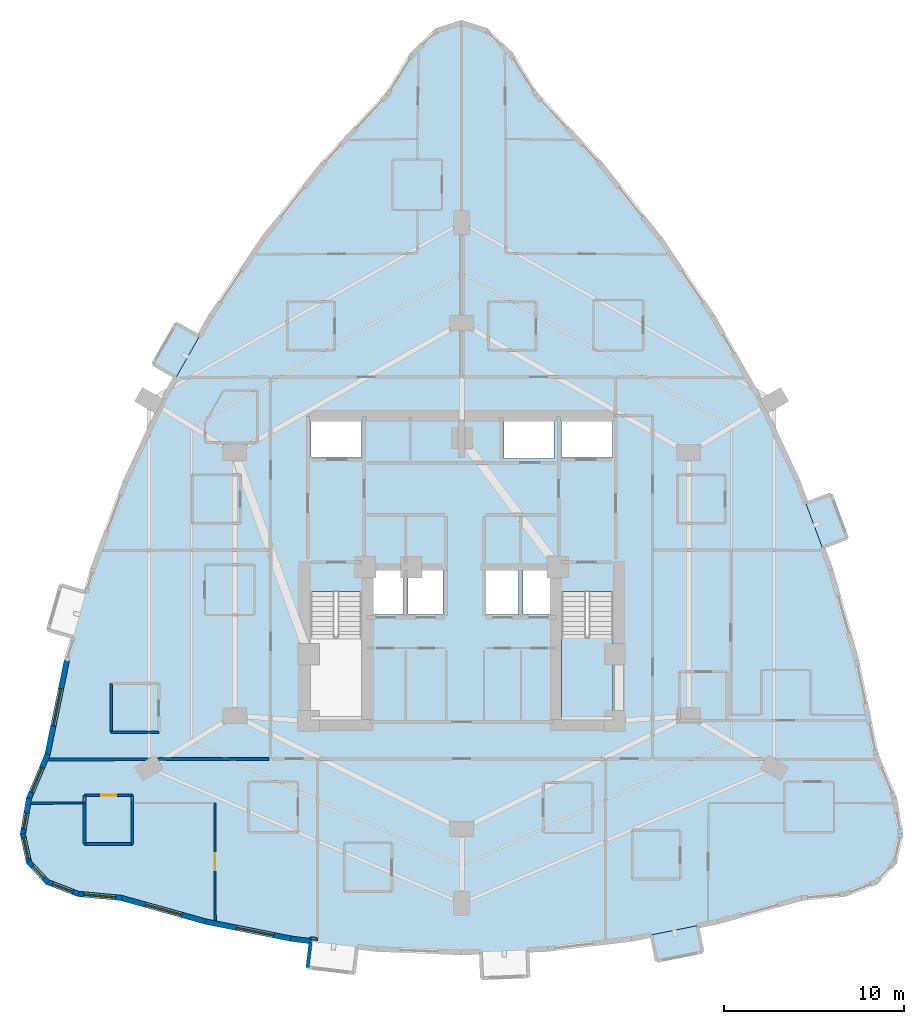
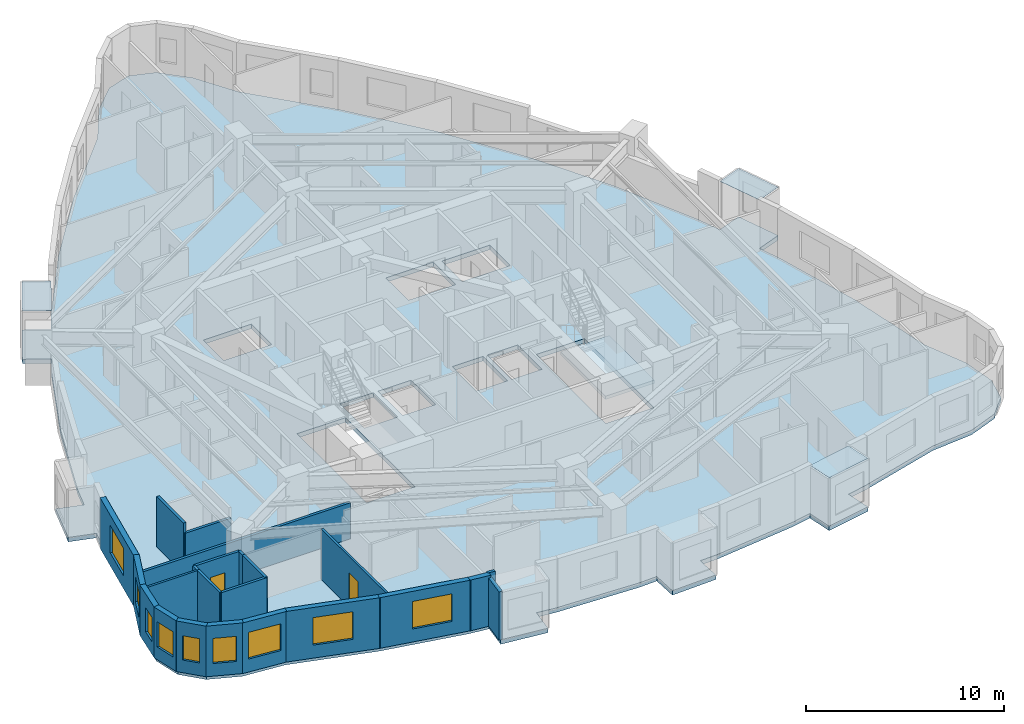
# One storey, part 5 of 13: 23 walls, 9 windows, 3 plates, 2 doors, 2 slabs, 11 openings, 1 element without a shape of its own.
"""IFC4 building model written with IfcOpenShell, lengths in metres."""

from ifc_helpers import new_model, si_unit, direction, frame, frame_2d, origin, place, context, subcontext, project, spatial, polyline, rectangle, outline, extrude, material, layer, layer_set, type_object, element, fill, aggregate, save


model = new_model("IFC4")

# Units and contexts
model_context = context("Model", 3, precision=1e-05, world=origin(), true_north=direction((0.0, 1.0)))
body_context = subcontext(model_context, "Body", "Model", "MODEL_VIEW")
ifc_project = project(units=[si_unit("LENGTHUNIT", "METRE"), si_unit("AREAUNIT", "SQUARE_METRE"), si_unit("VOLUMEUNIT", "CUBIC_METRE"), si_unit("PLANEANGLEUNIT", "RADIAN"), si_unit("MASSUNIT", "GRAM", prefix="KILO")], contexts=[model_context])

# Site, building, storey
site_placement = place(None, origin())
site = spatial("IfcSite", under=ifc_project, at=site_placement, CompositionType="ELEMENT")
building_placement = place(site_placement, origin())
building = spatial("IfcBuilding", under=site, at=building_placement, Name="Miruveldt Soraemaru", CompositionType="ELEMENT")
storey_placement = place(building_placement, frame((0.0, 0.0, 70.0)))
storey = spatial("IfcBuildingStorey", under=building, at=storey_placement, Name="L19", CompositionType="ELEMENT", Elevation=70.0)

# Plates
ifc_material_1 = material(Name="Standing-seam titanium-zinc sheet", Category="aluminium")
ifc_layer_1 = layer(ifc_material_1, 0.011962890625, Name="Standing-seam titanium-zinc sheet", Category="aluminium")
ifc_layer_set_1 = layer_set([ifc_layer_1], Name="Standing-seam titanium-zinc sheet")
plate_type = type_object("IfcPlateType", Name="PLT-ZINC-12", PredefinedType="SHEET", material=ifc_layer_set_1)
plate_1_placement = place(storey_placement, frame((0.0, 0.0, 2.97509765625)))
element("IfcPlate", 1, at=plate_1_placement, inside=storey, type_object=plate_type, Name="L19 Bay Window Zinc Hood Sheet 1", PredefinedType="SHEET", context=body_context, shape_type="SweptSolid", body=[
    extrude(outline(polyline([(29.434326171875, 56.8466796875), (28.15185546875, 54.585205078125), (26.864501953125, 55.315185546875), (28.14697265625, 57.576904296875), (29.434326171875, 56.8466796875)])), origin(), (0.0, 0.0, 1.0), 0.011962890625),
])
plate_2_placement = place(storey_placement, frame((0.0, 0.0, 2.97509765625)))
element("IfcPlate", 2, at=plate_2_placement, inside=storey, type_object=plate_type, Name="L19 Bay Window Zinc Hood Sheet 5", PredefinedType="SHEET", context=body_context, shape_type="SweptSolid", body=[
    extrude(outline(polyline([(54.537841796875, 23.6298828125), (57.08740234375, 24.139892578125), (57.377685546875, 22.688720703125), (54.828125, 22.1787109375), (54.537841796875, 23.6298828125)])), origin(), (0.0, 0.0, 1.0), 0.011962890625),
])
plate_3_placement = place(storey_placement, frame((0.0, 0.0, 2.97509765625)))
element("IfcPlate", 3, at=plate_3_placement, inside=storey, type_object=plate_type, Name="L19 Bay Window Zinc Hood Sheet 6", PredefinedType="SHEET", context=body_context, shape_type="SweptSolid", body=[
    extrude(outline(polyline([(64.01904296875, 45.142578125), (63.111572265625, 47.5791015625), (64.49853515625, 48.095703125), (65.406005859375, 45.6591796875), (64.01904296875, 45.142578125)])), origin(), (0.0, 0.0, 1.0), 0.011962890625),
])

# Stair, slab
ifc_material_2 = material(Name="Concrete C40/50 (40 MPa)", Category="concrete")
stair_type = type_object("IfcStairType", Name="STAIR-DL-340", PredefinedType="HALF_TURN_STAIR", material=ifc_material_2)
stair_placement = place(storey_placement, origin())
stair = element("IfcStair", 4, at=stair_placement, inside=storey, type_object=stair_type, Name="L19 Protected Exit Stair ST-2", PredefinedType="HALF_TURN_STAIR")
ifc_layer_2 = layer(ifc_material_2, 0.199951171875, Name="Concrete C40/50 (40 MPa)", Category="concrete")
ifc_layer_set_2 = layer_set([ifc_layer_2], Name="Concrete C40/50 (40 MPa)")
slab_type_1 = type_object("IfcSlabType", Name="SLAB-LAND-200", PredefinedType="LANDING", material=ifc_layer_set_2)
slab_1_placement = place(storey_placement, frame((0.0, 0.0, 1.5)))
slab_1 = element("IfcSlab", 5, at=slab_1_placement, type_object=slab_type_1, Name="ST-2 landing 1", PredefinedType="LANDING", context=body_context, shape_type="SweptSolid", body=[
    extrude(outline(polyline([(49.550048828125, 40.197998046875), (49.550048828125, 35.64990234375), (52.39990234375, 35.64990234375), (52.39990234375, 40.197998046875), (49.550048828125, 40.197998046875)])), origin(), (0.0, 0.0, 1.0), 0.199951171875),
])
aggregate(stair, [slab_1])

# Slab
ifc_layer_3 = layer(ifc_material_2, 0.27490234375, Name="Concrete C40/50 (40 MPa)", Category="concrete")
ifc_layer_set_3 = layer_set([ifc_layer_3], Name="Concrete C40/50 (40 MPa)")
slab_type_2 = type_object("IfcSlabType", Name="SLAB-RES1-275", PredefinedType="FLOOR", material=ifc_layer_set_3)
slab_2_placement = place(storey_placement, frame((0.0, 0.0, -0.27490234375)))
element("IfcSlab", 6, at=slab_2_placement, inside=storey, type_object=slab_type_2, Name="L19 Structural Floor Slab", PredefinedType="FLOOR", context=body_context, shape_type="SweptSolid", body=[
    extrude(outline(polyline([(45.122802734375, 21.22021484375), (45.063720703125, 22.698974609375), (46.362548828125, 22.7509765625), (44.0, 22.656494140625), (39.27490234375, 22.845458984375), (36.912353515625, 23.12890625), (38.203125, 22.97412109375), (38.02685546875, 21.504638671875), (35.4453125, 21.814453125), (35.62158203125, 23.283935546875), (34.5498046875, 23.41259765625), (29.82470703125, 24.357421875), (25.099609375, 25.6806640625), (22.7099609375, 25.9013671875), (21.003173828125, 26.5634765625), (19.97900390625, 27.667236328125), (19.6376953125, 29.21240234375), (19.97900390625, 31.19921875), (21.003173828125, 33.62744140625), (22.08251953125, 38.8720703125), (22.805419921875, 41.39990234375), (22.447998046875, 40.14990234375), (21.02490234375, 40.556884765625), (21.739990234375, 43.056640625), (23.162841796875, 42.649658203125), (23.5283203125, 43.927490234375), (25.3408203125, 48.794189453125), (27.520263671875, 53.4716796875), (28.15185546875, 54.585205078125), (26.864501953125, 55.315185546875), (28.14697265625, 57.576904296875), (29.434326171875, 56.8466796875), (28.793212890625, 55.716064453125), (30.06591796875, 57.960205078125), (32.978515625, 62.260009765625), (36.2578125, 66.37060546875), (39.903564453125, 70.2919921875), (41.26904296875, 72.49951171875), (42.634521484375, 73.823974609375), (44.0, 74.265380859375), (45.365478515625, 73.823974609375), (46.73095703125, 72.49951171875), (48.096435546875, 70.2919921875), (51.7421875, 66.37060546875), (55.021484375, 62.260009765625), (57.93408203125, 57.960205078125), (60.479736328125, 53.4716796875), (62.6591796875, 48.794189453125), (63.111572265625, 47.5791015625), (64.49853515625, 48.095703125), (65.406005859375, 45.6591796875), (64.01904296875, 45.142578125), (63.565185546875, 46.36083984375), (64.4716796875, 43.927490234375), (65.91748046875, 38.8720703125), (66.996826171875, 33.62744140625), (68.02099609375, 31.19921875), (68.3623046875, 29.21240234375), (68.02099609375, 27.667236328125), (66.996826171875, 26.5634765625), (65.2900390625, 25.9013671875), (62.900390625, 25.6806640625), (58.17529296875, 24.357421875), (57.08740234375, 24.139892578125), (57.377685546875, 22.688720703125), (54.828125, 22.1787109375), (54.537841796875, 23.6298828125), (55.812744140625, 23.885009765625), (53.4501953125, 23.41259765625), (48.72509765625, 22.845458984375), (47.66162109375, 22.802978515625), (47.720703125, 21.32421875), (45.122802734375, 21.22021484375)]), holes=[polyline([(35.614990234375, 35.6650390625), (38.43505859375, 35.6650390625), (38.43505859375, 42.68505859375), (35.614990234375, 42.68505859375), (35.614990234375, 35.6650390625)]), polyline([(49.56494140625, 35.6650390625), (52.385009765625, 35.6650390625), (52.385009765625, 42.68505859375), (49.56494140625, 42.68505859375), (49.56494140625, 35.6650390625)]), polyline([(40.764892578125, 41.4150390625), (40.764892578125, 43.885009765625), (38.81494140625, 43.885009765625), (38.81494140625, 41.4150390625), (40.764892578125, 41.4150390625)]), polyline([(42.965087890625, 41.4150390625), (42.965087890625, 43.885009765625), (41.034912109375, 43.885009765625), (41.034912109375, 41.4150390625), (42.965087890625, 41.4150390625)]), polyline([(47.1650390625, 41.4150390625), (47.1650390625, 43.885009765625), (45.364990234375, 43.885009765625), (45.364990234375, 41.4150390625), (47.1650390625, 41.4150390625)]), polyline([(49.18505859375, 41.4150390625), (49.18505859375, 43.885009765625), (47.39501953125, 43.885009765625), (47.39501953125, 41.4150390625), (49.18505859375, 41.4150390625)]), polyline([(38.445068359375, 50.135009765625), (38.445068359375, 52.205078125), (35.635009765625, 52.205078125), (35.635009765625, 50.135009765625), (38.445068359375, 50.135009765625)]), polyline([(49.554931640625, 50.135009765625), (52.364990234375, 50.135009765625), (52.364990234375, 52.205078125), (49.554931640625, 52.205078125), (49.554931640625, 50.135009765625)]), polyline([(46.364990234375, 50.06494140625), (49.135009765625, 50.06494140625), (49.135009765625, 52.3349609375), (46.364990234375, 52.3349609375), (46.364990234375, 50.06494140625)])]), origin(), (0.0, 0.0, 1.0), 0.27490234375),
])

# Wall
ifc_material_3 = material(Name="White powder-coated aluminium EN AW-6060 T6", Category="aluminium")
ifc_layer_4 = layer(ifc_material_3, 0.18994140625, Name="White powder-coated aluminium EN AW-6060 T6", Category="aluminium")
ifc_layer_set_4 = layer_set([ifc_layer_4], Name="White powder-coated aluminium EN AW-6060 T6")
wall_type_1 = type_object("IfcWallType", Name="WALL-BAY-ALU190", PredefinedType="SOLIDWALL", material=ifc_layer_set_4)
wall_1_placement = place(storey_placement, frame((35.614990234375, 23.229248046875, 0.0), z_axis=(0.0, 0.0, 1.0), x_axis=(-0.119077659317, -0.992884943511, 0.0)))
element("IfcWall", 7, at=wall_1_placement, inside=storey, type_object=wall_type_1, Name="L19 Bay Window Side Cheek 3L", PredefinedType="SOLIDWALL", context=body_context, shape_type="SweptSolid", body=[
    extrude(rectangle(XDim=1.425048828125, YDim=0.18994140625, at=frame_2d((0.71240234375, 0.0))), origin(), (0.0, 0.0, 1.0), 2.97509765625),
])

# Wall, opening, window
ifc_material_4 = material(Name="Precast concrete C45/55 (45 MPa)", Category="concrete")
ifc_layer_5 = layer(ifc_material_4, 0.300048828125, Name="Precast concrete C45/55 (45 MPa)", Category="concrete")
ifc_layer_set_5 = layer_set([ifc_layer_5], Name="Precast concrete C45/55 (45 MPa)")
wall_type_2 = type_object("IfcWallType", Name="WALL-EXT-PC300", PredefinedType="SOLIDWALL", material=ifc_layer_set_5)
wall_2_placement = place(storey_placement, frame((22.089599609375, 38.90625, 0.0), z_axis=(0.0, 0.0, 1.0), x_axis=(-0.201583076405, -0.979471420363, 0.0)))
wall_2 = element("IfcWall", 8, at=wall_2_placement, inside=storey, type_object=wall_type_2, Name="L19 Precast Concrete Facade Wall 14", PredefinedType="SOLIDWALL", context=body_context, shape_type="SweptSolid", body=[
    extrude(rectangle(XDim=5.424560546875, YDim=0.300048828125, at=frame_2d((2.71240234375, 0.0))), origin(), (0.0, 0.0, 1.0), 3.125),
])
opening_1_placement = place(wall_2_placement, frame((1.64501953125, 0.0, 0.800048828125)))
opening_1 = element("IfcOpeningElement", 9, at=opening_1_placement, cuts=wall_2, Name="Opening WN-1", PredefinedType="OPENING", context=body_context, shape_type="SweptSolid", body=[
    extrude(rectangle(XDim=2.10009765625, YDim=1.699951171875, at=frame_2d((1.050048828125, 0.85009765625))), frame((0.0, 0.16015625, 0.0), z_axis=(0.0, -1.0, 0.0), x_axis=(1.0, 0.0, 0.0)), (0.0, 0.0, 1.0), 0.320068359375),
])
ifc_material_5 = material(Name="Triple low-e insulated glazing", Category="glass")
window_type_1 = type_object("IfcWindowType", Name="WIN-PUNCH-2100x1700", PartitioningType="SINGLE_PANEL", PredefinedType="WINDOW", material=ifc_material_5)
window_1_placement = place(opening_1_placement, origin())
window_1 = element("IfcWindow", 10, at=window_1_placement, inside=storey, type_object=window_type_1, Name="L19 Punched Triple-Glazed Window 14.1", OverallHeight=1.699951171875, OverallWidth=2.10009765625, PartitioningType="SINGLE_PANEL", PredefinedType="WINDOW", context=body_context, shape_type="SweptSolid", body=[
    extrude(rectangle(XDim=2.10009765625, YDim=1.699951171875, at=frame_2d((1.050048828125, 0.85009765625))), frame((0.0, 0.030029296875, 0.0), z_axis=(0.0, -1.0, 0.0), x_axis=(1.0, 0.0, 0.0)), (0.0, 0.0, 1.0), 0.06005859375),
])
fill(opening_1, window_1)

wall_3_placement = place(storey_placement, frame((21.016845703125, 33.65966796875, 0.0), z_axis=(0.0, 0.0, 1.0), x_axis=(-0.388674171287, -0.921375270221, 0.0)))
wall_3 = element("IfcWall", 11, at=wall_3_placement, inside=storey, type_object=wall_type_2, Name="L19 Precast Concrete Facade Wall 15", PredefinedType="SOLIDWALL", context=body_context, shape_type="SweptSolid", body=[
    extrude(rectangle(XDim=2.705322265625, YDim=0.300048828125, at=frame_2d((1.3525390625, 0.0))), origin(), (0.0, 0.0, 1.0), 3.125),
])
opening_2_placement = place(wall_3_placement, frame((0.805908203125, 0.0, 0.800048828125)))
opening_2 = element("IfcOpeningElement", 12, at=opening_2_placement, cuts=wall_3, Name="Opening WN-3", PredefinedType="OPENING", context=body_context, shape_type="SweptSolid", body=[
    extrude(rectangle(XDim=1.5, YDim=1.60009765625, at=frame_2d((0.75, 0.800048828125))), frame((0.0, 0.16015625, 0.0), z_axis=(0.0, -1.0, 0.0), x_axis=(1.0, 0.0, 0.0)), (0.0, 0.0, 1.0), 0.320068359375),
])
window_type_2 = type_object("IfcWindowType", Name="WIN-PUNCH-1500x1600", PartitioningType="SINGLE_PANEL", PredefinedType="WINDOW", material=ifc_material_5)
window_2_placement = place(opening_2_placement, origin())
window_2 = element("IfcWindow", 13, at=window_2_placement, inside=storey, type_object=window_type_2, Name="L19 Punched Triple-Glazed Window 15.1", OverallHeight=1.60009765625, OverallWidth=1.5, PartitioningType="SINGLE_PANEL", PredefinedType="WINDOW", context=body_context, shape_type="SweptSolid", body=[
    extrude(rectangle(XDim=1.5, YDim=1.60009765625, at=frame_2d((0.75, 0.800048828125))), frame((0.0, 0.030029296875, 0.0), z_axis=(0.0, -1.0, 0.0), x_axis=(1.0, 0.0, 0.0)), (0.0, 0.0, 1.0), 0.06005859375),
])
fill(opening_2, window_2)

wall_4_placement = place(storey_placement, frame((19.98486328125, 31.233642578125, 0.0), z_axis=(0.0, 0.0, 1.0), x_axis=(-0.169256203907, -0.985572086374, 0.0)))
wall_4 = element("IfcWall", 14, at=wall_4_placement, inside=storey, type_object=wall_type_2, Name="L19 Precast Concrete Facade Wall 16", PredefinedType="SOLIDWALL", context=body_context, shape_type="SweptSolid", body=[
    extrude(rectangle(XDim=2.085693359375, YDim=0.300048828125, at=frame_2d((1.04296875, 0.0))), origin(), (0.0, 0.0, 1.0), 3.125),
])
opening_3_placement = place(wall_4_placement, frame((0.85009765625, 0.0, 0.780029296875)))
opening_3 = element("IfcOpeningElement", 15, at=opening_3_placement, cuts=wall_4, Name="Opening WN-7", PredefinedType="OPENING", context=body_context, shape_type="SweptSolid", body=[
    extrude(rectangle(XDim=0.89990234375, YDim=1.5, at=frame_2d((0.449951171875, 0.75))), frame((0.0, 0.16015625, 0.0), z_axis=(0.0, -1.0, 0.0), x_axis=(1.0, 0.0, 0.0)), (0.0, 0.0, 1.0), 0.320068359375),
])
window_type_3 = type_object("IfcWindowType", Name="WIN-PUNCH-900x1500", PartitioningType="SINGLE_PANEL", PredefinedType="WINDOW", material=ifc_material_5)
window_3_placement = place(opening_3_placement, origin())
window_3 = element("IfcWindow", 16, at=window_3_placement, inside=storey, type_object=window_type_3, Name="L19 Punched Triple-Glazed Window 16.1", OverallHeight=1.5, OverallWidth=0.89990234375, PartitioningType="SINGLE_PANEL", PredefinedType="WINDOW", context=body_context, shape_type="SweptSolid", body=[
    extrude(rectangle(XDim=0.89990234375, YDim=1.5, at=frame_2d((0.449951171875, 0.75))), frame((0.0, 0.030029296875, 0.0), z_axis=(0.0, -1.0, 0.0), x_axis=(1.0, 0.0, 0.0)), (0.0, 0.0, 1.0), 0.06005859375),
])
fill(opening_3, window_3)

wall_5_placement = place(storey_placement, frame((19.630126953125, 29.24658203125, 0.0), z_axis=(0.0, 0.0, 1.0), x_axis=(0.21571007503, -0.976457456078, 0.0)))
wall_5 = element("IfcWall", 17, at=wall_5_placement, inside=storey, type_object=wall_type_2, Name="L19 Precast Concrete Facade Wall 17", PredefinedType="SOLIDWALL", context=body_context, shape_type="SweptSolid", body=[
    extrude(rectangle(XDim=1.65234375, YDim=0.300048828125, at=frame_2d((0.826171875, 0.0))), origin(), (0.0, 0.0, 1.0), 3.125),
])
opening_4_placement = place(wall_5_placement, frame((0.22607421875, 0.0, 0.780029296875)))
opening_4 = element("IfcOpeningElement", 18, at=opening_4_placement, cuts=wall_5, Name="Opening WN-4", PredefinedType="OPENING", context=body_context, shape_type="SweptSolid", body=[
    extrude(rectangle(XDim=1.199951171875, YDim=1.550048828125, at=frame_2d((0.60009765625, 0.77490234375))), frame((0.0, 0.16015625, 0.0), z_axis=(0.0, -1.0, 0.0), x_axis=(1.0, 0.0, 0.0)), (0.0, 0.0, 1.0), 0.320068359375),
])
window_type_4 = type_object("IfcWindowType", Name="WIN-PUNCH-1200x1550", PartitioningType="SINGLE_PANEL", PredefinedType="WINDOW", material=ifc_material_5)
window_4_placement = place(opening_4_placement, origin())
window_4 = element("IfcWindow", 19, at=window_4_placement, inside=storey, type_object=window_type_4, Name="L19 Punched Triple-Glazed Window 17.1", OverallHeight=1.550048828125, OverallWidth=1.199951171875, PartitioningType="SINGLE_PANEL", PredefinedType="WINDOW", context=body_context, shape_type="SweptSolid", body=[
    extrude(rectangle(XDim=1.199951171875, YDim=1.550048828125, at=frame_2d((0.60009765625, 0.77490234375))), frame((0.0, 0.030029296875, 0.0), z_axis=(0.0, -1.0, 0.0), x_axis=(1.0, 0.0, 0.0)), (0.0, 0.0, 1.0), 0.06005859375),
])
fill(opening_4, window_4)

wall_6_placement = place(storey_placement, frame((19.955078125, 27.693115234375, 0.0), z_axis=(0.0, 0.0, 1.0), x_axis=(0.680201509312, -0.73302517469, 0.0)))
wall_6 = element("IfcWall", 20, at=wall_6_placement, inside=storey, type_object=wall_type_2, Name="L19 Precast Concrete Facade Wall 18", PredefinedType="SOLIDWALL", context=body_context, shape_type="SweptSolid", body=[
    extrude(rectangle(XDim=1.575927734375, YDim=0.300048828125, at=frame_2d((0.7880859375, 0.0))), origin(), (0.0, 0.0, 1.0), 3.125),
])
opening_5_placement = place(wall_6_placement, frame((0.337890625, 0.0, 0.780029296875)))
opening_5 = element("IfcOpeningElement", 21, at=opening_5_placement, cuts=wall_6, Name="Opening WN-7", PredefinedType="OPENING", context=body_context, shape_type="SweptSolid", body=[
    extrude(rectangle(XDim=0.89990234375, YDim=1.5, at=frame_2d((0.449951171875, 0.75))), frame((0.0, 0.16015625, 0.0), z_axis=(0.0, -1.0, 0.0), x_axis=(1.0, 0.0, 0.0)), (0.0, 0.0, 1.0), 0.320068359375),
])
window_5_placement = place(opening_5_placement, origin())
window_5 = element("IfcWindow", 22, at=window_5_placement, inside=storey, type_object=window_type_3, Name="L19 Punched Triple-Glazed Window 18.1", OverallHeight=1.5, OverallWidth=0.89990234375, PartitioningType="SINGLE_PANEL", PredefinedType="WINDOW", context=body_context, shape_type="SweptSolid", body=[
    extrude(rectangle(XDim=0.89990234375, YDim=1.5, at=frame_2d((0.449951171875, 0.75))), frame((0.0, 0.030029296875, 0.0), z_axis=(0.0, -1.0, 0.0), x_axis=(1.0, 0.0, 0.0)), (0.0, 0.0, 1.0), 0.06005859375),
])
fill(opening_5, window_5)

wall_7_placement = place(storey_placement, frame((20.970703125, 26.576171875, 0.0), z_axis=(0.0, 0.0, 1.0), x_axis=(0.932288833734, -0.361714708707, 0.0)))
wall_7 = element("IfcWall", 23, at=wall_7_placement, inside=storey, type_object=wall_type_2, Name="L19 Precast Concrete Facade Wall 19", PredefinedType="SOLIDWALL", context=body_context, shape_type="SweptSolid", body=[
    extrude(rectangle(XDim=1.900634765625, YDim=0.300048828125, at=frame_2d((0.9501953125, 0.0))), origin(), (0.0, 0.0, 1.0), 3.125),
])
opening_6_placement = place(wall_7_placement, frame((0.35107421875, 0.0, 0.780029296875)))
opening_6 = element("IfcOpeningElement", 24, at=opening_6_placement, cuts=wall_7, Name="Opening WN-4", PredefinedType="OPENING", context=body_context, shape_type="SweptSolid", body=[
    extrude(rectangle(XDim=1.199951171875, YDim=1.550048828125, at=frame_2d((0.60009765625, 0.77490234375))), frame((0.0, 0.16015625, 0.0), z_axis=(0.0, -1.0, 0.0), x_axis=(1.0, 0.0, 0.0)), (0.0, 0.0, 1.0), 0.320068359375),
])
window_6_placement = place(opening_6_placement, origin())
window_6 = element("IfcWindow", 25, at=window_6_placement, inside=storey, type_object=window_type_4, Name="L19 Punched Triple-Glazed Window 19.1", OverallHeight=1.550048828125, OverallWidth=1.199951171875, PartitioningType="SINGLE_PANEL", PredefinedType="WINDOW", context=body_context, shape_type="SweptSolid", body=[
    extrude(rectangle(XDim=1.199951171875, YDim=1.550048828125, at=frame_2d((0.60009765625, 0.77490234375))), frame((0.0, 0.030029296875, 0.0), z_axis=(0.0, -1.0, 0.0), x_axis=(1.0, 0.0, 0.0)), (0.0, 0.0, 1.0), 0.06005859375),
])
fill(opening_6, window_6)

wall_8_placement = place(storey_placement, frame((22.675048828125, 25.904541015625, 0.0), z_axis=(0.0, 0.0, 1.0), x_axis=(0.995765843862, -0.091925971292, 0.0)))
wall_8 = element("IfcWall", 26, at=wall_8_placement, inside=storey, type_object=wall_type_2, Name="L19 Precast Concrete Facade Wall 20", PredefinedType="SOLIDWALL", context=body_context, shape_type="SweptSolid", body=[
    extrude(rectangle(XDim=2.469970703125, YDim=0.300048828125, at=frame_2d((1.23486328125, 0.0))), origin(), (0.0, 0.0, 1.0), 3.125),
])
opening_7_placement = place(wall_8_placement, frame((0.3349609375, 0.0, 0.800048828125)))
opening_7 = element("IfcOpeningElement", 27, at=opening_7_placement, cuts=wall_8, Name="Opening WN-2", PredefinedType="OPENING", context=body_context, shape_type="SweptSolid", body=[
    extrude(rectangle(XDim=1.800048828125, YDim=1.64990234375, at=frame_2d((0.89990234375, 0.824951171875))), frame((0.0, 0.16015625, 0.0), z_axis=(0.0, -1.0, 0.0), x_axis=(1.0, 0.0, 0.0)), (0.0, 0.0, 1.0), 0.320068359375),
])
window_type_5 = type_object("IfcWindowType", Name="WIN-PUNCH-1800x1650", PartitioningType="SINGLE_PANEL", PredefinedType="WINDOW", material=ifc_material_5)
window_7_placement = place(opening_7_placement, origin())
window_7 = element("IfcWindow", 28, at=window_7_placement, inside=storey, type_object=window_type_5, Name="L19 Punched Triple-Glazed Window 20.1", OverallHeight=1.64990234375, OverallWidth=1.800048828125, PartitioningType="SINGLE_PANEL", PredefinedType="WINDOW", context=body_context, shape_type="SweptSolid", body=[
    extrude(rectangle(XDim=1.800048828125, YDim=1.64990234375, at=frame_2d((0.89990234375, 0.824951171875))), frame((0.0, 0.030029296875, 0.0), z_axis=(0.0, -1.0, 0.0), x_axis=(1.0, 0.0, 0.0)), (0.0, 0.0, 1.0), 0.06005859375),
])
fill(opening_7, window_7)

wall_9_placement = place(storey_placement, frame((25.06591796875, 25.68994140625, 0.0), z_axis=(0.0, 0.0, 1.0), x_axis=(0.962969114378, -0.269611729629, 0.0)))
wall_9 = element("IfcWall", 29, at=wall_9_placement, inside=storey, type_object=wall_type_2, Name="L19 Precast Concrete Facade Wall 21", PredefinedType="SOLIDWALL", context=body_context, shape_type="SweptSolid", body=[
    extrude(rectangle(XDim=4.976806640625, YDim=0.300048828125, at=frame_2d((2.48828125, 0.0))), origin(), (0.0, 0.0, 1.0), 3.125),
])
opening_8_placement = place(wall_9_placement, frame((1.43798828125, 0.0, 0.800048828125)))
opening_8 = element("IfcOpeningElement", 30, at=opening_8_placement, cuts=wall_9, Name="Opening WN-1", PredefinedType="OPENING", context=body_context, shape_type="SweptSolid", body=[
    extrude(rectangle(XDim=2.10009765625, YDim=1.699951171875, at=frame_2d((1.050048828125, 0.85009765625))), frame((0.0, 0.16015625, 0.0), z_axis=(0.0, -1.0, 0.0), x_axis=(1.0, 0.0, 0.0)), (0.0, 0.0, 1.0), 0.320068359375),
])
window_8_placement = place(opening_8_placement, origin())
window_8 = element("IfcWindow", 31, at=window_8_placement, inside=storey, type_object=window_type_1, Name="L19 Punched Triple-Glazed Window 21.1", OverallHeight=1.699951171875, OverallWidth=2.10009765625, PartitioningType="SINGLE_PANEL", PredefinedType="WINDOW", context=body_context, shape_type="SweptSolid", body=[
    extrude(rectangle(XDim=2.10009765625, YDim=1.699951171875, at=frame_2d((1.050048828125, 0.85009765625))), frame((0.0, 0.030029296875, 0.0), z_axis=(0.0, -1.0, 0.0), x_axis=(1.0, 0.0, 0.0)), (0.0, 0.0, 1.0), 0.06005859375),
])
fill(opening_8, window_8)

wall_10_placement = place(storey_placement, frame((29.79052734375, 24.364501953125, 0.0), z_axis=(0.0, 0.0, 1.0), x_axis=(0.980569148828, -0.19617376065, 0.0)))
wall_10 = element("IfcWall", 32, at=wall_10_placement, inside=storey, type_object=wall_type_2, Name="L19 Precast Concrete Facade Wall 22", PredefinedType="SOLIDWALL", context=body_context, shape_type="SweptSolid", body=[
    extrude(rectangle(XDim=4.888427734375, YDim=0.300048828125, at=frame_2d((2.4443359375, 0.0))), origin(), (0.0, 0.0, 1.0), 3.125),
])
opening_9_placement = place(wall_10_placement, frame((1.76708984375, 0.0, 0.800048828125)))
opening_9 = element("IfcOpeningElement", 33, at=opening_9_placement, cuts=wall_10, Name="Opening WN-1", PredefinedType="OPENING", context=body_context, shape_type="SweptSolid", body=[
    extrude(rectangle(XDim=2.10009765625, YDim=1.699951171875, at=frame_2d((1.050048828125, 0.85009765625))), frame((0.0, 0.16015625, 0.0), z_axis=(0.0, -1.0, 0.0), x_axis=(1.0, 0.0, 0.0)), (0.0, 0.0, 1.0), 0.320068359375),
])
window_9_placement = place(opening_9_placement, origin())
window_9 = element("IfcWindow", 34, at=window_9_placement, inside=storey, type_object=window_type_1, Name="L19 Punched Triple-Glazed Window 22.1", OverallHeight=1.699951171875, OverallWidth=2.10009765625, PartitioningType="SINGLE_PANEL", PredefinedType="WINDOW", context=body_context, shape_type="SweptSolid", body=[
    extrude(rectangle(XDim=2.10009765625, YDim=1.699951171875, at=frame_2d((1.050048828125, 0.85009765625))), frame((0.0, 0.030029296875, 0.0), z_axis=(0.0, -1.0, 0.0), x_axis=(1.0, 0.0, 0.0)), (0.0, 0.0, 1.0), 0.06005859375),
])
fill(opening_9, window_9)

# Wall
wall_11_placement = place(storey_placement, frame((34.514892578125, 23.416748046875, 0.0), z_axis=(0.0, 0.0, 1.0), x_axis=(0.99286674232, -0.119229325232, 0.0)))
element("IfcWall", 35, at=wall_11_placement, inside=storey, type_object=wall_type_2, Name="L19 Precast Pier Wall 23A", PredefinedType="SOLIDWALL", context=body_context, shape_type="SweptSolid", body=[
    extrude(rectangle(XDim=1.14453125, YDim=0.300048828125, at=frame_2d((0.572265625, 0.0))), origin(), (0.0, 0.0, 1.0), 3.125),
])

# Wall, opening, door
ifc_material_6 = material(Name="Gypsum plasterboard lining", Category="gypsum")
ifc_layer_6 = layer(ifc_material_6, 0.1201171875, Name="Gypsum plasterboard lining", Category="gypsum")
ifc_layer_set_6 = layer_set([ifc_layer_6], Name="Gypsum plasterboard lining")
wall_type_3 = type_object("IfcWallType", Name="WALL-INT-P120", PredefinedType="PARTITIONING", material=ifc_layer_set_6)
wall_12_placement = place(storey_placement, frame((30.302001953125, 30.949951171875, 0.0), z_axis=(0.0, 0.0, 1.0), x_axis=(0.002619947592, -0.999996567931, 0.0)))
wall_12 = element("IfcWall", 36, at=wall_12_placement, inside=storey, type_object=wall_type_3, Name="L19 Partition Wall 88", PredefinedType="PARTITIONING", context=body_context, shape_type="SweptSolid", body=[
    extrude(rectangle(XDim=6.52294921875, YDim=0.1201171875, at=frame_2d((3.261474609375, 0.0))), origin(), (0.0, 0.0, 1.0), 3.125),
])
opening_10_placement = place(wall_12_placement, frame((2.802001953125, 0.0, 0.0)))
opening_10 = element("IfcOpeningElement", 37, at=opening_10_placement, cuts=wall_12, Name="Opening D3A", PredefinedType="OPENING", context=body_context, shape_type="SweptSolid", body=[
    extrude(rectangle(XDim=0.919921875, YDim=2.10009765625, at=frame_2d((0.4599609375, 1.050048828125))), frame((0.0, 0.070068359375, 0.0), z_axis=(0.0, -1.0, 0.0), x_axis=(1.0, 0.0, 0.0)), (0.0, 0.0, 1.0), 0.14013671875),
])
ifc_material_7 = material(Name="Anodised aluminium EN AW-6063 T6", Category="aluminium")
door_type_1 = type_object("IfcDoorType", Name="DOOR-INT-920", OperationType="NOTDEFINED", PredefinedType="DOOR", material=ifc_material_7)
door_1_placement = place(opening_10_placement, origin())
door_1 = element("IfcDoor", 38, at=door_1_placement, inside=storey, type_object=door_type_1, Name="L19 Unit 1907 BD1 Door", OperationType="SINGLE_SWING_RIGHT", OverallHeight=2.10009765625, OverallWidth=0.919921875, PredefinedType="DOOR", context=body_context, shape_type="SweptSolid", body=[
    extrude(rectangle(XDim=0.919921875, YDim=2.10009765625, at=frame_2d((0.4599609375, 1.050048828125))), frame((0.0, 0.02490234375, 0.0), z_axis=(0.0, -1.0, 0.0), x_axis=(1.0, 0.0, 0.0)), (0.0, 0.0, 1.0), 0.050048828125),
])
fill(opening_10, door_1)

# Wall
wall_13_placement = place(storey_placement, frame((20.10107421875, 30.93603515625, 0.0), z_axis=(0.0, 0.0, 1.0), x_axis=(0.999988534332, 0.004788653823, 0.0)))
element("IfcWall", 39, at=wall_13_placement, inside=storey, type_object=wall_type_3, Name="L19 Partition Wall 86", PredefinedType="PARTITIONING", context=body_context, shape_type="SweptSolid", body=[
    extrude(rectangle(XDim=2.906005859375, YDim=0.1201171875, at=frame_2d((1.453125, 0.0))), origin(), (0.0, 0.0, 1.0), 3.125),
])

# Wall, opening, door
ifc_layer_7 = layer(ifc_material_6, 0.14990234375, Name="Gypsum plasterboard lining", Category="gypsum")
ifc_layer_set_7 = layer_set([ifc_layer_7], Name="Gypsum plasterboard lining")
wall_type_4 = type_object("IfcWallType", Name="WALL-INT-PLUMB", PredefinedType="PLUMBINGWALL", material=ifc_layer_set_7)
wall_14_placement = place(storey_placement, frame((25.717041015625, 31.376953125, 0.0), z_axis=(0.0, 0.0, 1.0), x_axis=(-1.0, 0.0, 0.0)))
wall_14 = element("IfcWall", 40, at=wall_14_placement, inside=storey, type_object=wall_type_4, Name="L19 Partition Wall 80", PredefinedType="PLUMBINGWALL", context=body_context, shape_type="SweptSolid", body=[
    extrude(rectangle(XDim=2.650146484375, YDim=0.14990234375, at=frame_2d((1.3251953125, 0.0))), origin(), (0.0, 0.0, 1.0), 3.125),
])
opening_11_placement = place(wall_14_placement, frame((0.885009765625, 0.0, 0.0)))
opening_11 = element("IfcOpeningElement", 41, at=opening_11_placement, cuts=wall_14, Name="Opening FD3", PredefinedType="OPENING", context=body_context, shape_type="SweptSolid", body=[
    extrude(rectangle(XDim=0.85009765625, YDim=2.10009765625, at=frame_2d((0.425048828125, 1.050048828125))), frame((0.0, 0.0849609375, 0.0), z_axis=(0.0, -1.0, 0.0), x_axis=(1.0, 0.0, 0.0)), (0.0, 0.0, 1.0), 0.169921875),
])
door_type_2 = type_object("IfcDoorType", Name="DOOR-FD3-850", OperationType="NOTDEFINED", PredefinedType="DOOR", material=ifc_material_7)
door_2_placement = place(opening_11_placement, origin())
door_2 = element("IfcDoor", 42, at=door_2_placement, inside=storey, type_object=door_type_2, Name="L19 Unit 1907 BTH Door", OperationType="SINGLE_SWING_RIGHT", OverallHeight=2.10009765625, OverallWidth=0.85009765625, PredefinedType="DOOR", context=body_context, shape_type="SweptSolid", body=[
    extrude(rectangle(XDim=0.85009765625, YDim=2.10009765625, at=frame_2d((0.425048828125, 1.050048828125))), frame((0.0, 0.02490234375, 0.0), z_axis=(0.0, -1.0, 0.0), x_axis=(1.0, 0.0, 0.0)), (0.0, 0.0, 1.0), 0.050048828125),
])
fill(opening_11, door_2)

# Walls
wall_15_placement = place(storey_placement, frame((24.5458984375, 37.580078125, 0.0), z_axis=(0.0, 0.0, 1.0), x_axis=(0.0, -1.0, 0.0)))
element("IfcWall", 43, at=wall_15_placement, inside=storey, type_object=wall_type_4, Name="L19 Partition Wall 54", PredefinedType="PLUMBINGWALL", context=body_context, shape_type="SweptSolid", body=[
    extrude(rectangle(XDim=2.7001953125, YDim=0.14990234375, at=frame_2d((1.35009765625, 0.0))), origin(), (0.0, 0.0, 1.0), 3.125),
])
wall_16_placement = place(storey_placement, frame((24.5458984375, 34.8798828125, 0.0), z_axis=(0.0, 0.0, 1.0), x_axis=(1.0, 0.0, 0.0)))
element("IfcWall", 44, at=wall_16_placement, inside=storey, type_object=wall_type_4, Name="L19 Partition Wall 55", PredefinedType="PLUMBINGWALL", context=body_context, shape_type="SweptSolid", body=[
    extrude(rectangle(XDim=2.650146484375, YDim=0.14990234375, at=frame_2d((1.3251953125, 0.0))), origin(), (0.0, 0.0, 1.0), 2.512939453125),
])
wall_17_placement = place(storey_placement, frame((23.06689453125, 28.677001953125, 0.0), z_axis=(0.0, 0.0, 1.0), x_axis=(1.0, 0.0, 0.0)))
element("IfcWall", 45, at=wall_17_placement, inside=storey, type_object=wall_type_4, Name="L19 Partition Wall 91", PredefinedType="PLUMBINGWALL", context=body_context, shape_type="SweptSolid", body=[
    extrude(rectangle(XDim=2.650146484375, YDim=0.14990234375, at=frame_2d((1.3251953125, 0.0))), origin(), (0.0, 0.0, 1.0), 3.125),
])
for number, where, z_axis, x_axis, name in (
    (46, (23.06689453125, 30.949951171875, 0.0), (0.0, 0.0, 1.0), (0.0, -1.0, 0.0), "L19 Partition Wall 90"),
    (47, (25.717041015625, 28.677001953125, 0.0), (0.0, 0.0, 1.0), (0.0, 1.0, 0.0), "L19 Partition Wall 92"),
):
    element("IfcWall", number, at=place(storey_placement, frame(where, z_axis=z_axis, x_axis=x_axis)), inside=storey, type_object=wall_type_4, Name=name, PredefinedType="PLUMBINGWALL", context=body_context, shape_type="SweptSolid", body=[
        extrude(rectangle(XDim=2.27294921875, YDim=0.14990234375, at=frame_2d((1.136474609375, 0.0))), origin(), (0.0, 0.0, 1.0), 3.125),
    ])
for number, where, z_axis, x_axis, name in (
    (48, (25.717041015625, 30.949951171875, 0.0), (0.0, 0.0, 1.0), (0.0, 1.0, 0.0), "L19 Partition Wall 79"),
    (49, (23.06689453125, 31.376953125, 0.0), (0.0, 0.0, 1.0), (0.0, -1.0, 0.0), "L19 Partition Wall 81"),
):
    element("IfcWall", number, at=place(storey_placement, frame(where, z_axis=z_axis, x_axis=x_axis)), inside=storey, type_object=wall_type_4, Name=name, PredefinedType="PLUMBINGWALL", context=body_context, shape_type="SweptSolid", body=[
        extrude(rectangle(XDim=0.427001953125, YDim=0.14990234375, at=frame_2d((0.21337890625, 0.0))), origin(), (0.0, 0.0, 1.0), 3.125),
    ])
ifc_layer_8 = layer(ifc_material_2, 0.159912109375, Name="Concrete C40/50 (40 MPa)", Category="concrete")
ifc_layer_set_8 = layer_set([ifc_layer_8], Name="Concrete C40/50 (40 MPa)")
wall_type_5 = type_object("IfcWallType", Name="WALL-INT-RC160", PredefinedType="SOLIDWALL", material=ifc_layer_set_8)
wall_18_placement = place(storey_placement, frame((21.072021484375, 33.366943359375, 0.0), z_axis=(0.0, 0.0, 1.0), x_axis=(0.999996379391, 0.002690948637, 0.0)))
element("IfcWall", 50, at=wall_18_placement, inside=storey, type_object=wall_type_5, Name="L19 Partition Wall 60", PredefinedType="SOLIDWALL", context=body_context, shape_type="SweptSolid", body=[
    extrude(rectangle(XDim=12.248046875, YDim=0.159912109375, at=frame_2d((6.1240234375, 0.0))), origin(), (0.0, 0.0, 1.0), 2.219970703125),
])
wall_19_placement = place(storey_placement, frame((36.010009765625, 23.403076171875, 0.0), z_axis=(0.0, 0.0, 1.0), x_axis=(-0.994609700136, 0.103689654237, 0.0)))
element("IfcWall", 51, at=wall_19_placement, inside=storey, type_object=wall_type_5, Name="L19 Partition Closure Return 1", PredefinedType="SOLIDWALL", context=body_context, shape_type="SweptSolid", body=[
    extrude(rectangle(XDim=0.42138671875, YDim=0.159912109375, at=frame_2d((0.210693359375, 0.0))), origin(), (0.0, 0.0, 1.0), 3.125),
])

save(model, "model.ifc")
